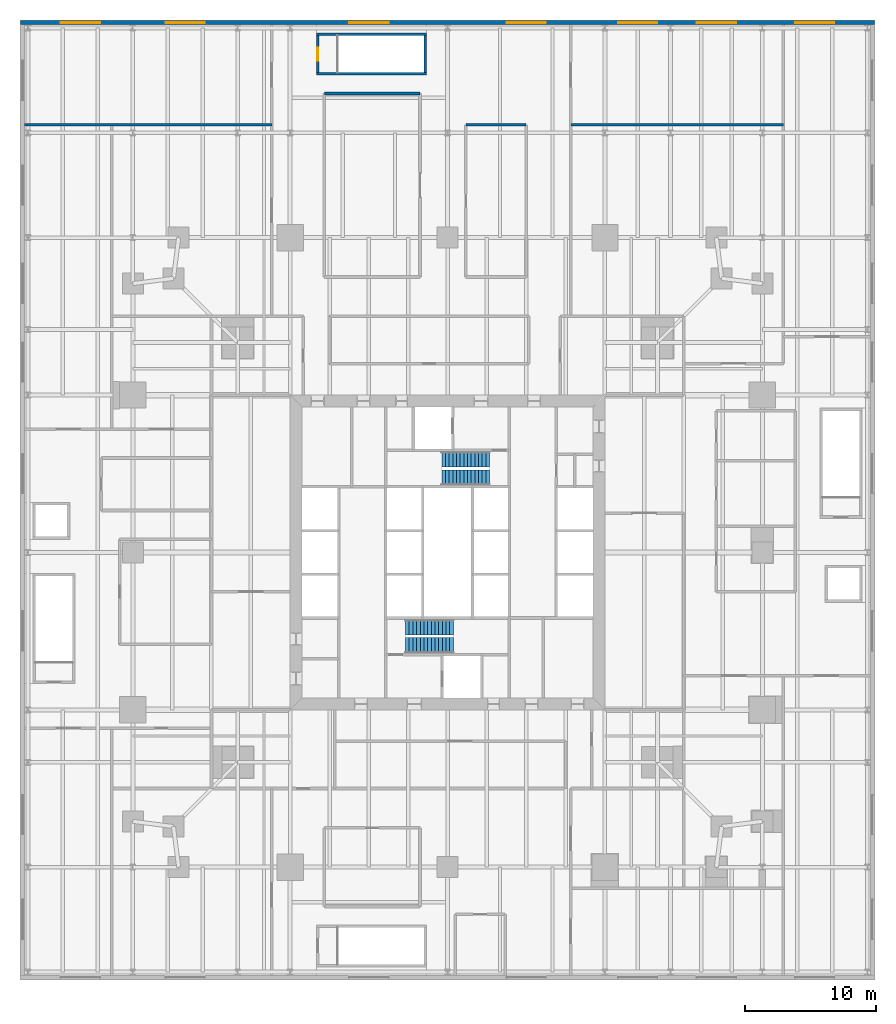
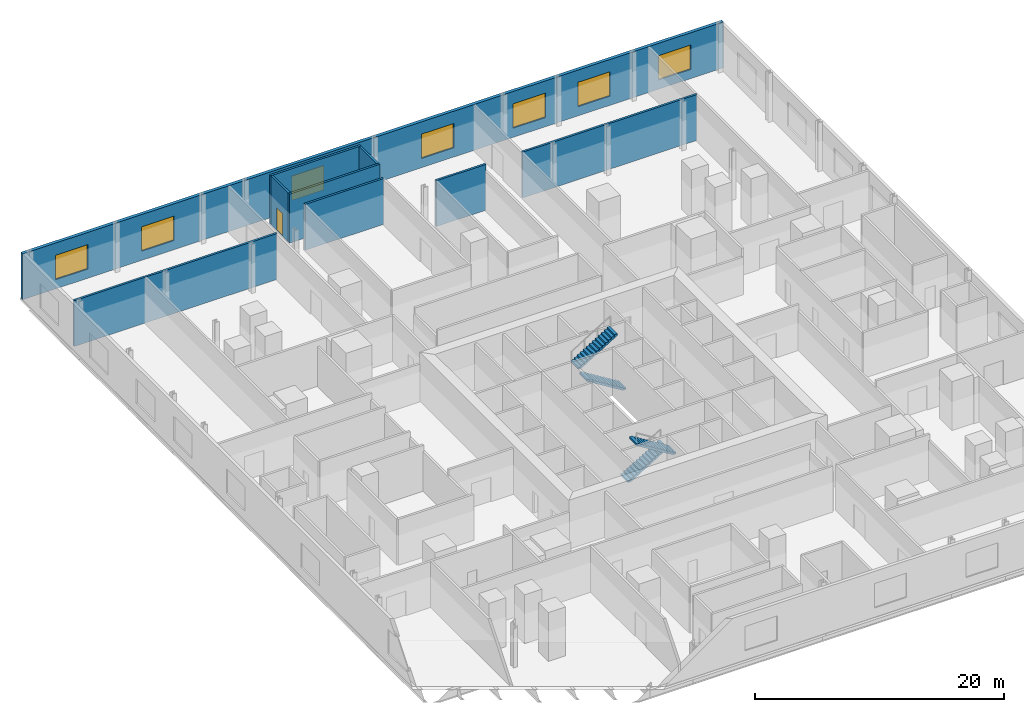
# One storey, part 14 of 15: 9 walls, 7 windows, 4 stair flights, 1 door, 8 openings, 2 elements without a shape of their own.
"""IFC4 building model written with IfcOpenShell, lengths in metres."""

import ifcopenshell
import ifcopenshell.guid

model = None  # the IFC model being written
_history = None  # IfcOwnerHistory: only IFC2X3 demands one
_inside = {}  # id of a spatial element -> (the spatial element, [elements in it])
_under = {}  # id of a project, library or spatial element -> (it, [spatial elements below it])
_declared = {}  # id of a project -> (the project, [libraries it declares])
_typed = {}  # id of a type object -> (the type object, [elements of that type])
_made_of = {}  # id of a material, layer set ... -> (it, [elements and type objects made of it])


def new_model(schema):
    """Start an empty IFC model of exactly this schema.

    Asked for "IFC4X3", IfcOpenShell would pick the latest addendum, in which some entities
    have other attributes; the version numbers below select the first issue.
    IFC2X3 requires an IfcOwnerHistory on every rooted entity: one is made here for all.
    """
    global model, _history
    if schema == "IFC4X3":
        model = ifcopenshell.file(schema_version=(4, 3, 0, 0))
    else:
        model = ifcopenshell.file(schema=schema)
    _inside.clear()
    _under.clear()
    _declared.clear()
    _typed.clear()
    _made_of.clear()
    _history = None
    if model.schema == "IFC2X3":
        org = make("IfcOrganization", Name="unknown")
        user = make(
            "IfcPersonAndOrganization",
            ThePerson=make("IfcPerson", FamilyName="unknown"),
            TheOrganization=org,
        )
        app = make(
            "IfcApplication",
            ApplicationDeveloper=org,
            Version="unknown",
            ApplicationFullName="unknown",
            ApplicationIdentifier="unknown",
        )
        _history = make(
            "IfcOwnerHistory",
            OwningUser=user,
            OwningApplication=app,
            ChangeAction="ADDED",
            CreationDate=0,
        )
    return model


def make(cls, **values):
    """One entity of the class cls with the attributes given. An attribute that is None is left unset."""
    return model.create_entity(
        cls, **{name: value for name, value in values.items() if value is not None}
    )


def rooted(cls, **values):
    """An entity with a GlobalId (a new one), such as an element, a storey or a relation."""
    return make(cls, GlobalId=ifcopenshell.guid.new(), OwnerHistory=_history, **values)


def si_unit(unit_type, name, prefix=None):
    """IfcSIUnit, for example si_unit("LENGTHUNIT", "METRE", prefix="MILLI")."""
    return make("IfcSIUnit", UnitType=unit_type, Prefix=prefix, Name=name)


def assignment(units):
    """IfcUnitAssignment: the units of a project."""
    return None if units is None else make("IfcUnitAssignment", Units=units)


def point(xyz):
    """IfcCartesianPoint."""
    return None if xyz is None else make("IfcCartesianPoint", Coordinates=xyz)


def direction(xyz):
    """IfcDirection."""
    return None if xyz is None else make("IfcDirection", DirectionRatios=xyz)


def frame(location, z_axis=None, x_axis=None):
    """IfcAxis2Placement3D, a coordinate frame: its origin and axes. An axis left out is left unset."""
    return make(
        "IfcAxis2Placement3D",
        Location=point(location),
        Axis=direction(z_axis),
        RefDirection=direction(x_axis),
    )


def frame_2d(location, x_axis=None):
    """IfcAxis2Placement2D, a coordinate frame in the plane: its origin and x axis."""
    return make(
        "IfcAxis2Placement2D", Location=point(location), RefDirection=direction(x_axis)
    )


def origin():
    """The frame at (0, 0, 0) with its axes left unset."""
    return frame((0.0, 0.0, 0.0))


def place(relative_to, where):
    """IfcLocalPlacement: puts the frame where relative to a parent placement (None: the world)."""
    return make(
        "IfcLocalPlacement", PlacementRelTo=relative_to, RelativePlacement=where
    )


def context(
    kind, dimensions, precision=None, world=None, true_north=None, identifier=None
):
    """IfcGeometricRepresentationContext, for example the 3D "Model" context."""
    return make(
        "IfcGeometricRepresentationContext",
        ContextIdentifier=identifier,
        ContextType=kind,
        CoordinateSpaceDimension=dimensions,
        Precision=precision,
        WorldCoordinateSystem=world,
        TrueNorth=true_north,
    )


def subcontext(parent, identifier, kind, view, scale=None):
    """IfcGeometricRepresentationSubContext, for example "Body" below "Model"."""
    return make(
        "IfcGeometricRepresentationSubContext",
        ContextIdentifier=identifier,
        ContextType=kind,
        ParentContext=parent,
        TargetScale=scale,
        TargetView=view,
    )


def project(units=None, contexts=None):
    """IfcProject with its units and contexts."""
    return rooted(
        "IfcProject",
        Name="project",
        RepresentationContexts=contexts,
        UnitsInContext=assignment(units),
    )


def spatial(cls, under=None, at=None, **own):
    """A site, building, storey or space (cls), placed at a placement, below another one or the project."""
    s = rooted(cls, ObjectPlacement=at, **own)
    if under is not None:
        _under.setdefault(under.id(), (under, []))[1].append(s)
    return s


def polyline(points):
    """IfcPolyline through the points."""
    return make("IfcPolyline", Points=[point(p) for p in points])


def profile(cls, at=None, kind="AREA", **sizes):
    """A parametric profile (cls). Its sizes go by their IFC names, for example OverallWidth=200.0."""
    return make(cls, ProfileType=kind, Position=at, **sizes)


def rectangle(**sizes):
    """IfcRectangleProfileDef."""
    return profile("IfcRectangleProfileDef", **sizes)


def outline(outer, holes=None, kind="AREA"):
    """IfcArbitraryClosedProfileDef: a profile drawn as a closed curve; with holes, ...WithVoids."""
    if holes is None:
        return make("IfcArbitraryClosedProfileDef", ProfileType=kind, OuterCurve=outer)
    return make(
        "IfcArbitraryProfileDefWithVoids",
        ProfileType=kind,
        OuterCurve=outer,
        InnerCurves=holes,
    )


def extrude(swept, where, along, depth):
    """IfcExtrudedAreaSolid: the profile swept, set in the frame where, extruded along a direction by depth."""
    return make(
        "IfcExtrudedAreaSolid",
        SweptArea=swept,
        Position=where,
        ExtrudedDirection=direction(along),
        Depth=depth,
    )


def shape(context_of_items, identifier, shape_type, items):
    """IfcShapeRepresentation: the items that make up one representation, for example the "Body"."""
    return make(
        "IfcShapeRepresentation",
        ContextOfItems=context_of_items,
        RepresentationIdentifier=identifier,
        RepresentationType=shape_type,
        Items=items,
    )


def material(Name=None, Category=None):
    """IfcMaterial."""
    return make("IfcMaterial", Name=Name, Category=Category)


def layer(
    of_material, thickness, ventilated=None, Name=None, Category=None, Priority=None
):
    """IfcMaterialLayer: one layer of a wall or slab, of a material (None: an air gap)."""
    return make(
        "IfcMaterialLayer",
        Material=of_material,
        LayerThickness=thickness,
        IsVentilated=ventilated,
        Name=Name,
        Category=Category,
        Priority=Priority,
    )


def layer_set(layers, Name=None):
    """IfcMaterialLayerSet."""
    return make("IfcMaterialLayerSet", MaterialLayers=layers, LayerSetName=Name)


def made_of(thing, what):
    """Note that an element or type object is made of a material, layer set ...; save() writes the relation."""
    if what is not None:
        _made_of.setdefault(what.id(), (what, []))[1].append(thing)
    return thing


def type_object(cls, material=None, **own):
    """A type object (cls), such as IfcWallType, which elements share."""
    return made_of(rooted(cls, **own), material)


def element(
    cls,
    number,
    at=None,
    inside=None,
    cuts=None,
    type_object=None,
    material=None,
    context=None,
    identifier="Body",
    shape_type=None,
    held_by="IfcProductDefinitionShape",
    body=None,
    shapes=None,
    **own,
):
    """One element of the class cls, such as IfcWall. Its Tag is "e" and its number.

    at: its placement. inside: the storey or other place that contains it. cuts: it is an
    opening in that element (IfcRelVoidsElement). A single representation is given by context,
    identifier, shape_type and body (its items); several are given by shapes. held_by: the class
    of the entity that holds the representations. save() writes the other relations.
    """
    e = rooted(cls, Tag="e%d" % number, ObjectPlacement=at, **own)
    if body is not None:
        shapes = [shape(context, identifier, shape_type, body)]
    if shapes is not None:
        e.Representation = make(held_by, Representations=shapes)
    if inside is not None:
        _inside.setdefault(inside.id(), (inside, []))[1].append(e)
    if cuts is not None:
        rooted(
            "IfcRelVoidsElement", RelatingBuildingElement=cuts, RelatedOpeningElement=e
        )
    if type_object is not None:
        _typed.setdefault(type_object.id(), (type_object, []))[1].append(e)
    return made_of(e, material)


def fill(opening, filler):
    """IfcRelFillsElement: the door or window that sits in an opening."""
    return rooted(
        "IfcRelFillsElement",
        RelatingOpeningElement=opening,
        RelatedBuildingElement=filler,
    )


def aggregate(whole, parts):
    """IfcRelAggregates: a whole, such as a stair, and the parts it consists of."""
    return rooted("IfcRelAggregates", RelatingObject=whole, RelatedObjects=parts)


def save(model, path):
    """Write the relations noted so far, then the file.

    IfcRelAggregates (storeys below a building ...), IfcRelContainedInSpatialStructure (elements
    in a storey), IfcRelDefinesByType, IfcRelAssociatesMaterial and IfcRelDeclares: one each for
    every whole, place, type object, material and project.
    """
    for whole, parts in _under.values():
        aggregate(whole, parts)
    for where, things in _inside.values():
        rooted(
            "IfcRelContainedInSpatialStructure",
            RelatedElements=things,
            RelatingStructure=where,
        )
    for kind, things in _typed.values():
        rooted("IfcRelDefinesByType", RelatedObjects=things, RelatingType=kind)
    for what, things in _made_of.values():
        rooted("IfcRelAssociatesMaterial", RelatedObjects=things, RelatingMaterial=what)
    for by, libraries in _declared.values():
        rooted("IfcRelDeclares", RelatingContext=by, RelatedDefinitions=libraries)
    model.write(path)


model = new_model("IFC4")

# Units and contexts
model_context = context("Model", 3, precision=1e-05, world=origin(), true_north=direction((0.0, 1.0)))
body_context = subcontext(model_context, "Body", "Model", "MODEL_VIEW")
ifc_project = project(units=[si_unit("LENGTHUNIT", "METRE"), si_unit("AREAUNIT", "SQUARE_METRE"), si_unit("VOLUMEUNIT", "CUBIC_METRE"), si_unit("PLANEANGLEUNIT", "RADIAN"), si_unit("MASSUNIT", "GRAM", prefix="KILO")], contexts=[model_context])

# Site, building, storey
site_placement = place(None, origin())
site = spatial("IfcSite", under=ifc_project, at=site_placement, CompositionType="ELEMENT")
building_placement = place(site_placement, origin())
building = spatial("IfcBuilding", under=site, at=building_placement, Name="Fenwick Lantern Interchange", CompositionType="ELEMENT")
storey_placement = place(building_placement, frame((0.0, 0.0, 26.199951171875)))
storey = spatial("IfcBuildingStorey", under=building, at=storey_placement, Name="L05", CompositionType="ELEMENT", Elevation=26.199951171875)

# Wall, openings, windows
ifc_material_1 = material(Name="Limestone ASTM C568 Classification II", Category="masonry")
ifc_layer_1 = layer(ifc_material_1, 0.074951171875)
ifc_material_2 = material(Name="Mineral wool insulation")
ifc_layer_2 = layer(ifc_material_2, 0.125)
ifc_material_3 = material(Name="Cold-formed galvanised steel studs", Category="steel")
ifc_layer_3 = layer(ifc_material_3, 0.10009765625)
ifc_layer_set_1 = layer_set([ifc_layer_1, ifc_layer_2, ifc_layer_3], Name="Limestone ASTM C568 Classification II")
wall_type_1 = type_object("IfcWallType", Name="LIMESTONE RAINSCREEN WALL 300", PredefinedType="SOLIDWALL", material=ifc_layer_set_1)
wall_1_placement = place(storey_placement, frame((57.550048828125, 65.39990234375, 0.0), z_axis=(0.0, 0.0, 1.0), x_axis=(-1.0, 0.0, 0.0)))
wall_1 = element("IfcWall", 1, at=wall_1_placement, inside=storey, type_object=wall_type_1, Name="L05/EW/N", PredefinedType="SOLIDWALL", context=body_context, shape_type="SweptSolid", body=[
    extrude(rectangle(XDim=65.10009765625, YDim=0.300048828125, at=frame_2d((32.550048828125, 0.0))), origin(), (0.0, 0.0, 1.0), 4.5),
])
opening_1_placement = place(wall_1_placement, frame((59.050048828125, 0.0, 0.89990234375)))
opening_1 = element("IfcOpeningElement", 2, at=opening_1_placement, cuts=wall_1, Name="Opening W1", PredefinedType="OPENING", context=body_context, shape_type="SweptSolid", body=[
    extrude(rectangle(XDim=3.0, YDim=2.39990234375, at=frame_2d((1.5, 1.199951171875))), frame((0.0, 0.159912109375, 0.0), z_axis=(0.0, -1.0, 0.0), x_axis=(1.0, 0.0, 0.0)), (0.0, 0.0, 1.0), 0.320068359375),
])
opening_2_placement = place(wall_1_placement, frame((51.050048828125, 0.0, 0.89990234375)))
opening_2 = element("IfcOpeningElement", 3, at=opening_2_placement, cuts=wall_1, Name="Opening W1", PredefinedType="OPENING", context=body_context, shape_type="SweptSolid", body=[
    extrude(rectangle(XDim=3.0, YDim=2.39990234375, at=frame_2d((1.5, 1.199951171875))), frame((0.0, 0.159912109375, 0.0), z_axis=(0.0, -1.0, 0.0), x_axis=(1.0, 0.0, 0.0)), (0.0, 0.0, 1.0), 0.320068359375),
])
opening_3_placement = place(wall_1_placement, frame((37.050048828125, 0.0, 0.89990234375)))
opening_3 = element("IfcOpeningElement", 4, at=opening_3_placement, cuts=wall_1, Name="Opening W1", PredefinedType="OPENING", context=body_context, shape_type="SweptSolid", body=[
    extrude(rectangle(XDim=3.0, YDim=2.39990234375, at=frame_2d((1.5, 1.199951171875))), frame((0.0, 0.159912109375, 0.0), z_axis=(0.0, -1.0, 0.0), x_axis=(1.0, 0.0, 0.0)), (0.0, 0.0, 1.0), 0.320068359375),
])
opening_4_placement = place(wall_1_placement, frame((25.050048828125, 0.0, 0.89990234375)))
opening_4 = element("IfcOpeningElement", 5, at=opening_4_placement, cuts=wall_1, Name="Opening W1", PredefinedType="OPENING", context=body_context, shape_type="SweptSolid", body=[
    extrude(rectangle(XDim=3.0, YDim=2.39990234375, at=frame_2d((1.5, 1.199951171875))), frame((0.0, 0.159912109375, 0.0), z_axis=(0.0, -1.0, 0.0), x_axis=(1.0, 0.0, 0.0)), (0.0, 0.0, 1.0), 0.320068359375),
])
opening_5_placement = place(wall_1_placement, frame((16.550048828125, 0.0, 0.89990234375)))
opening_5 = element("IfcOpeningElement", 6, at=opening_5_placement, cuts=wall_1, Name="Opening W1", PredefinedType="OPENING", context=body_context, shape_type="SweptSolid", body=[
    extrude(rectangle(XDim=3.0, YDim=2.39990234375, at=frame_2d((1.5, 1.199951171875))), frame((0.0, 0.159912109375, 0.0), z_axis=(0.0, -1.0, 0.0), x_axis=(1.0, 0.0, 0.0)), (0.0, 0.0, 1.0), 0.320068359375),
])
opening_6_placement = place(wall_1_placement, frame((10.550048828125, 0.0, 0.89990234375)))
opening_6 = element("IfcOpeningElement", 7, at=opening_6_placement, cuts=wall_1, Name="Opening W1", PredefinedType="OPENING", context=body_context, shape_type="SweptSolid", body=[
    extrude(rectangle(XDim=3.0, YDim=2.39990234375, at=frame_2d((1.5, 1.199951171875))), frame((0.0, 0.159912109375, 0.0), z_axis=(0.0, -1.0, 0.0), x_axis=(1.0, 0.0, 0.0)), (0.0, 0.0, 1.0), 0.320068359375),
])
opening_7_placement = place(wall_1_placement, frame((3.050048828125, 0.0, 0.89990234375)))
opening_7 = element("IfcOpeningElement", 8, at=opening_7_placement, cuts=wall_1, Name="Opening W1", PredefinedType="OPENING", context=body_context, shape_type="SweptSolid", body=[
    extrude(rectangle(XDim=3.0, YDim=2.39990234375, at=frame_2d((1.5, 1.199951171875))), frame((0.0, 0.159912109375, 0.0), z_axis=(0.0, -1.0, 0.0), x_axis=(1.0, 0.0, 0.0)), (0.0, 0.0, 1.0), 0.320068359375),
])
ifc_material_4 = material(Name="Aluminium window, clear glass", Category="aluminium")
window_type = type_object("IfcWindowType", Name="PODIUM WINDOW 3000 X 2400", PartitioningType="SINGLE_PANEL", PredefinedType="WINDOW", material=ifc_material_4)
window_1_placement = place(opening_1_placement, origin())
window_1 = element("IfcWindow", 9, at=window_1_placement, inside=storey, type_object=window_type, Name="Podium window", OverallHeight=2.39990234375, OverallWidth=3.0, PartitioningType="SINGLE_PANEL", PredefinedType="WINDOW", context=body_context, shape_type="SweptSolid", body=[
    extrude(rectangle(XDim=3.0, YDim=2.39990234375, at=frame_2d((1.5, 1.199951171875))), frame((0.0, 0.030029296875, 0.0), z_axis=(0.0, -1.0, 0.0), x_axis=(1.0, 0.0, 0.0)), (0.0, 0.0, 1.0), 0.06005859375),
])
fill(opening_1, window_1)
window_2_placement = place(opening_2_placement, origin())
window_2 = element("IfcWindow", 10, at=window_2_placement, inside=storey, type_object=window_type, Name="Podium window", OverallHeight=2.39990234375, OverallWidth=3.0, PartitioningType="SINGLE_PANEL", PredefinedType="WINDOW", context=body_context, shape_type="SweptSolid", body=[
    extrude(rectangle(XDim=3.0, YDim=2.39990234375, at=frame_2d((1.5, 1.199951171875))), frame((0.0, 0.030029296875, 0.0), z_axis=(0.0, -1.0, 0.0), x_axis=(1.0, 0.0, 0.0)), (0.0, 0.0, 1.0), 0.06005859375),
])
fill(opening_2, window_2)
window_3_placement = place(opening_3_placement, origin())
window_3 = element("IfcWindow", 11, at=window_3_placement, inside=storey, type_object=window_type, Name="Podium window", OverallHeight=2.39990234375, OverallWidth=3.0, PartitioningType="SINGLE_PANEL", PredefinedType="WINDOW", context=body_context, shape_type="SweptSolid", body=[
    extrude(rectangle(XDim=3.0, YDim=2.39990234375, at=frame_2d((1.5, 1.199951171875))), frame((0.0, 0.030029296875, 0.0), z_axis=(0.0, -1.0, 0.0), x_axis=(1.0, 0.0, 0.0)), (0.0, 0.0, 1.0), 0.06005859375),
])
fill(opening_3, window_3)
window_4_placement = place(opening_4_placement, origin())
window_4 = element("IfcWindow", 12, at=window_4_placement, inside=storey, type_object=window_type, Name="Podium window", OverallHeight=2.39990234375, OverallWidth=3.0, PartitioningType="SINGLE_PANEL", PredefinedType="WINDOW", context=body_context, shape_type="SweptSolid", body=[
    extrude(rectangle(XDim=3.0, YDim=2.39990234375, at=frame_2d((1.5, 1.199951171875))), frame((0.0, 0.030029296875, 0.0), z_axis=(0.0, -1.0, 0.0), x_axis=(1.0, 0.0, 0.0)), (0.0, 0.0, 1.0), 0.06005859375),
])
fill(opening_4, window_4)
window_5_placement = place(opening_5_placement, origin())
window_5 = element("IfcWindow", 13, at=window_5_placement, inside=storey, type_object=window_type, Name="Podium window", OverallHeight=2.39990234375, OverallWidth=3.0, PartitioningType="SINGLE_PANEL", PredefinedType="WINDOW", context=body_context, shape_type="SweptSolid", body=[
    extrude(rectangle(XDim=3.0, YDim=2.39990234375, at=frame_2d((1.5, 1.199951171875))), frame((0.0, 0.030029296875, 0.0), z_axis=(0.0, -1.0, 0.0), x_axis=(1.0, 0.0, 0.0)), (0.0, 0.0, 1.0), 0.06005859375),
])
fill(opening_5, window_5)
window_6_placement = place(opening_6_placement, origin())
window_6 = element("IfcWindow", 14, at=window_6_placement, inside=storey, type_object=window_type, Name="Podium window", OverallHeight=2.39990234375, OverallWidth=3.0, PartitioningType="SINGLE_PANEL", PredefinedType="WINDOW", context=body_context, shape_type="SweptSolid", body=[
    extrude(rectangle(XDim=3.0, YDim=2.39990234375, at=frame_2d((1.5, 1.199951171875))), frame((0.0, 0.030029296875, 0.0), z_axis=(0.0, -1.0, 0.0), x_axis=(1.0, 0.0, 0.0)), (0.0, 0.0, 1.0), 0.06005859375),
])
fill(opening_6, window_6)
window_7_placement = place(opening_7_placement, origin())
window_7 = element("IfcWindow", 15, at=window_7_placement, inside=storey, type_object=window_type, Name="Podium window", OverallHeight=2.39990234375, OverallWidth=3.0, PartitioningType="SINGLE_PANEL", PredefinedType="WINDOW", context=body_context, shape_type="SweptSolid", body=[
    extrude(rectangle(XDim=3.0, YDim=2.39990234375, at=frame_2d((1.5, 1.199951171875))), frame((0.0, 0.030029296875, 0.0), z_axis=(0.0, -1.0, 0.0), x_axis=(1.0, 0.0, 0.0)), (0.0, 0.0, 1.0), 0.06005859375),
])
fill(opening_7, window_7)

# Walls
ifc_material_5 = material(Name="Gypsum board on steel studs, 1 hour", Category="steel")
ifc_layer_4 = layer(ifc_material_5, 0.199951171875)
ifc_layer_set_2 = layer_set([ifc_layer_4], Name="ROOM WALL 200")
wall_type_2 = type_object("IfcWallType", Name="ROOM WALL 200", PredefinedType="PARTITIONING", material=ifc_layer_set_2)
wall_2_placement = place(storey_placement, frame((-7.25, 57.60009765625, 0.0), z_axis=(0.0, 0.0, 1.0), x_axis=(1.0, 0.0, 0.0)))
element("IfcWall", 16, at=wall_2_placement, inside=storey, type_object=wall_type_2, Name="L05/W/POD/Y57.6-1", PredefinedType="PARTITIONING", context=body_context, shape_type="SweptSolid", body=[
    extrude(rectangle(XDim=18.85009765625, YDim=0.199951171875, at=frame_2d((9.425048828125, 0.0))), origin(), (0.0, 0.0, 1.0), 4.5),
])
wall_3_placement = place(storey_placement, frame((26.39990234375, 57.60009765625, 0.0), z_axis=(0.0, 0.0, 1.0), x_axis=(1.0, 0.0, 0.0)))
element("IfcWall", 17, at=wall_3_placement, inside=storey, type_object=wall_type_2, Name="L05/W/POD/Y57.6-2", PredefinedType="PARTITIONING", context=body_context, shape_type="SweptSolid", body=[
    extrude(rectangle(XDim=4.60009765625, YDim=0.199951171875, at=frame_2d((2.300048828125, 0.0))), origin(), (0.0, 0.0, 1.0), 4.5),
])
wall_4_placement = place(storey_placement, frame((34.39990234375, 57.60009765625, 0.0), z_axis=(0.0, 0.0, 1.0), x_axis=(1.0, 0.0, 0.0)))
element("IfcWall", 18, at=wall_4_placement, inside=storey, type_object=wall_type_2, Name="L05/W/POD/Y57.6-3", PredefinedType="PARTITIONING", context=body_context, shape_type="SweptSolid", body=[
    extrude(rectangle(XDim=16.2001953125, YDim=0.199951171875, at=frame_2d((8.10009765625, 0.0))), origin(), (0.0, 0.0, 1.0), 4.5),
])
wall_5_placement = place(storey_placement, frame((15.60009765625, 60.0, 0.0), z_axis=(0.0, 0.0, 1.0), x_axis=(1.0, 0.0, 0.0)))
element("IfcWall", 19, at=wall_5_placement, inside=storey, type_object=wall_type_2, Name="L05/W/POD/Y60-1", PredefinedType="PARTITIONING", context=body_context, shape_type="SweptSolid", body=[
    extrude(rectangle(XDim=7.2998046875, YDim=0.199951171875, at=frame_2d((3.64990234375, 0.0))), origin(), (0.0, 0.0, 1.0), 4.5),
])
ifc_material_6 = material(Name="Reinforced concrete masonry ASTM C90 Grade N", Category="masonry")
ifc_layer_5 = layer(ifc_material_6, 0.199951171875)
ifc_layer_set_3 = layer_set([ifc_layer_5], Name="Reinforced concrete masonry ASTM C90 Grade N")
wall_type_3 = type_object("IfcWallType", Name="STAIR ENCLOSURE 200", PredefinedType="SOLIDWALL", material=ifc_layer_set_3)
wall_6_placement = place(storey_placement, frame((15.0, 61.5, 0.0), z_axis=(0.0, 0.0, 1.0), x_axis=(1.0, 0.0, 0.0)))
element("IfcWall", 20, at=wall_6_placement, inside=storey, type_object=wall_type_3, Name="L05/W/PS1/S", PredefinedType="SOLIDWALL", context=body_context, shape_type="SweptSolid", body=[
    extrude(rectangle(XDim=8.39990234375, YDim=0.199951171875, at=frame_2d((4.199951171875, 0.0))), origin(), (0.0, 0.0, 1.0), 4.800048828125),
])
wall_7_placement = place(storey_placement, frame((23.300048828125, 61.60009765625, 0.0), z_axis=(0.0, 0.0, 1.0), x_axis=(0.0, 1.0, 0.0)))
element("IfcWall", 21, at=wall_7_placement, inside=storey, type_object=wall_type_3, Name="L05/W/PS1/E", PredefinedType="SOLIDWALL", context=body_context, shape_type="SweptSolid", body=[
    extrude(rectangle(XDim=2.7998046875, YDim=0.199951171875, at=frame_2d((1.39990234375, 0.0))), origin(), (0.0, 0.0, 1.0), 4.800048828125),
])
wall_8_placement = place(storey_placement, frame((23.39990234375, 64.5, 0.0), z_axis=(0.0, 0.0, 1.0), x_axis=(-1.0, 0.0, 0.0)))
element("IfcWall", 22, at=wall_8_placement, inside=storey, type_object=wall_type_3, Name="L05/W/PS1/N", PredefinedType="SOLIDWALL", context=body_context, shape_type="SweptSolid", body=[
    extrude(rectangle(XDim=8.39990234375, YDim=0.199951171875, at=frame_2d((4.199951171875, 0.0))), origin(), (0.0, 0.0, 1.0), 4.800048828125),
])

# Wall, opening, door
wall_9_placement = place(storey_placement, frame((15.10009765625, 64.39990234375, 0.0), z_axis=(0.0, 0.0, 1.0), x_axis=(0.0, -1.0, 0.0)))
wall_9 = element("IfcWall", 23, at=wall_9_placement, inside=storey, type_object=wall_type_3, Name="L05/W/PS1/W", PredefinedType="SOLIDWALL", context=body_context, shape_type="SweptSolid", body=[
    extrude(rectangle(XDim=2.7998046875, YDim=0.199951171875, at=frame_2d((1.39990234375, 0.0))), origin(), (0.0, 0.0, 1.0), 4.800048828125),
])
opening_8_placement = place(wall_9_placement, frame((0.89990234375, 0.0, 0.0)))
opening_8 = element("IfcOpeningElement", 24, at=opening_8_placement, cuts=wall_9, Name="Opening L05-D018", PredefinedType="OPENING", context=body_context, shape_type="SweptSolid", body=[
    extrude(rectangle(XDim=1.0, YDim=2.199951171875, at=frame_2d((0.5, 1.10009765625))), frame((0.0, 0.10986328125, 0.0), z_axis=(0.0, -1.0, 0.0), x_axis=(1.0, 0.0, 0.0)), (0.0, 0.0, 1.0), 0.219970703125),
])
ifc_material_7 = material(Name="Steel door and frame", Category="steel")
door_type = type_object("IfcDoorType", Name="STAIR DOOR 1000 X 2200", OperationType="SINGLE_SWING_LEFT", PredefinedType="DOOR", material=ifc_material_7)
door_placement = place(opening_8_placement, origin())
door = element("IfcDoor", 25, at=door_placement, inside=storey, type_object=door_type, Name="Stair door", OperationType="SINGLE_SWING_LEFT", OverallHeight=2.199951171875, OverallWidth=1.0, PredefinedType="DOOR", context=body_context, shape_type="SweptSolid", body=[
    extrude(rectangle(XDim=1.0, YDim=2.199951171875, at=frame_2d((0.5, 1.10009765625))), frame((0.0, 0.02490234375, 0.0), z_axis=(0.0, -1.0, 0.0), x_axis=(1.0, 0.0, 0.0)), (0.0, 0.0, 1.0), 0.050048828125),
])
fill(opening_8, door)

# Stair, stair flights
ifc_material_8 = material(Name="Precast concrete f'c 35 MPa", Category="concrete")
stair_type = type_object("IfcStairType", Name="EXIT STAIR 1200", PredefinedType="HALF_TURN_STAIR", material=ifc_material_8)
stair_1_placement = place(storey_placement, origin())
stair_1 = element("IfcStair", 26, at=stair_1_placement, inside=storey, type_object=stair_type, Name="Exit stair ST1", PredefinedType="HALF_TURN_STAIR")
stair_flight_type = type_object("IfcStairFlightType", Name="STAIR FLIGHT 1200", PredefinedType="STRAIGHT", material=ifc_material_8)
stair_flight_1_placement = place(storey_placement, frame((21.800048828125, 19.300048828125, 0.0), z_axis=(0.0, 0.0, 1.0), x_axis=(1.0, 0.0, 0.0)))
stair_flight_1 = element("IfcStairFlight", 27, at=stair_flight_1_placement, type_object=stair_flight_type, Name="ST1 flight 1", NumberOfRisers=14, NumberOfTreads=13, PredefinedType="STRAIGHT", RiserHeight=0.171428571, TreadLength=0.28, context=body_context, shape_type="SweptSolid", body=[
    extrude(outline(polyline([(0.0, 0.0), (0.0, 0.17138671875), (0.280029296875, 0.17138671875), (0.280029296875, 0.3427734375), (0.56005859375, 0.3427734375), (0.56005859375, 0.514404296875), (0.840087890625, 0.514404296875), (0.840087890625, 0.685791015625), (1.1201171875, 0.685791015625), (1.1201171875, 0.857177734375), (1.39990234375, 0.857177734375), (1.39990234375, 1.028564453125), (1.679931640625, 1.028564453125), (1.679931640625, 1.199951171875), (1.9599609375, 1.199951171875), (1.9599609375, 1.371337890625), (2.239990234375, 1.371337890625), (2.239990234375, 1.54296875), (2.52001953125, 1.54296875), (2.52001953125, 1.71435546875), (2.800048828125, 1.71435546875), (2.800048828125, 1.8857421875), (3.080078125, 1.8857421875), (3.080078125, 2.05712890625), (3.360107421875, 2.05712890625), (3.360107421875, 2.228515625), (3.639892578125, 2.228515625), (3.639892578125, 2.39990234375), (3.639892578125, 2.052734375), (0.287109375, 0.0), (0.0, 0.0)])), frame((0.0, 0.60009765625, 0.0), z_axis=(0.0, -1.0, 0.0), x_axis=(1.0, 0.0, 0.0)), (0.0, 0.0, 1.0), 1.199951171875),
])
stair_flight_2_placement = place(storey_placement, frame((25.43994140625, 17.89990234375, 2.400146484375), z_axis=(0.0, 0.0, 1.0), x_axis=(-1.0, 0.0, 0.0)))
stair_flight_2 = element("IfcStairFlight", 28, at=stair_flight_2_placement, type_object=stair_flight_type, Name="ST1 flight 2", NumberOfRisers=14, NumberOfTreads=13, PredefinedType="STRAIGHT", RiserHeight=0.171428571, TreadLength=0.28, context=body_context, shape_type="SweptSolid", body=[
    extrude(outline(polyline([(0.0, 0.0), (0.0, 0.17138671875), (0.280029296875, 0.17138671875), (0.280029296875, 0.3427734375), (0.56005859375, 0.3427734375), (0.56005859375, 0.514404296875), (0.840087890625, 0.514404296875), (0.840087890625, 0.685791015625), (1.1201171875, 0.685791015625), (1.1201171875, 0.857177734375), (1.39990234375, 0.857177734375), (1.39990234375, 1.028564453125), (1.679931640625, 1.028564453125), (1.679931640625, 1.199951171875), (1.9599609375, 1.199951171875), (1.9599609375, 1.371337890625), (2.239990234375, 1.371337890625), (2.239990234375, 1.54296875), (2.52001953125, 1.54296875), (2.52001953125, 1.71435546875), (2.800048828125, 1.71435546875), (2.800048828125, 1.8857421875), (3.080078125, 1.8857421875), (3.080078125, 2.05712890625), (3.360107421875, 2.05712890625), (3.360107421875, 2.228515625), (3.639892578125, 2.228515625), (3.639892578125, 2.39990234375), (3.639892578125, 2.052734375), (0.287109375, 0.0), (0.0, 0.0)])), frame((0.0, 0.60009765625, 0.0), z_axis=(0.0, -1.0, 0.0), x_axis=(1.0, 0.0, 0.0)), (0.0, 0.0, 1.0), 1.199951171875),
])
aggregate(stair_1, [stair_flight_1, stair_flight_2])

stair_2_placement = place(storey_placement, origin())
stair_2 = element("IfcStair", 29, at=stair_2_placement, inside=storey, type_object=stair_type, Name="Exit stair ST2", PredefinedType="HALF_TURN_STAIR")
stair_flight_3_placement = place(storey_placement, frame((28.199951171875, 30.699951171875, 0.0), z_axis=(0.0, 0.0, 1.0), x_axis=(-1.0, 0.0, 0.0)))
stair_flight_3 = element("IfcStairFlight", 30, at=stair_flight_3_placement, type_object=stair_flight_type, Name="ST2 flight 1", NumberOfRisers=14, NumberOfTreads=13, PredefinedType="STRAIGHT", RiserHeight=0.171428571, TreadLength=0.28, context=body_context, shape_type="SweptSolid", body=[
    extrude(outline(polyline([(0.0, 0.0), (0.0, 0.17138671875), (0.280029296875, 0.17138671875), (0.280029296875, 0.3427734375), (0.56005859375, 0.3427734375), (0.56005859375, 0.514404296875), (0.840087890625, 0.514404296875), (0.840087890625, 0.685791015625), (1.1201171875, 0.685791015625), (1.1201171875, 0.857177734375), (1.39990234375, 0.857177734375), (1.39990234375, 1.028564453125), (1.679931640625, 1.028564453125), (1.679931640625, 1.199951171875), (1.9599609375, 1.199951171875), (1.9599609375, 1.371337890625), (2.239990234375, 1.371337890625), (2.239990234375, 1.54296875), (2.52001953125, 1.54296875), (2.52001953125, 1.71435546875), (2.800048828125, 1.71435546875), (2.800048828125, 1.8857421875), (3.080078125, 1.8857421875), (3.080078125, 2.05712890625), (3.360107421875, 2.05712890625), (3.360107421875, 2.228515625), (3.639892578125, 2.228515625), (3.639892578125, 2.39990234375), (3.639892578125, 2.052734375), (0.287109375, 0.0), (0.0, 0.0)])), frame((0.0, 0.60009765625, 0.0), z_axis=(0.0, -1.0, 0.0), x_axis=(1.0, 0.0, 0.0)), (0.0, 0.0, 1.0), 1.199951171875),
])
stair_flight_4_placement = place(storey_placement, frame((24.56005859375, 32.10009765625, 2.400146484375), z_axis=(0.0, 0.0, 1.0), x_axis=(1.0, 0.0, 0.0)))
stair_flight_4 = element("IfcStairFlight", 31, at=stair_flight_4_placement, type_object=stair_flight_type, Name="ST2 flight 2", NumberOfRisers=14, NumberOfTreads=13, PredefinedType="STRAIGHT", RiserHeight=0.171428571, TreadLength=0.28, context=body_context, shape_type="SweptSolid", body=[
    extrude(outline(polyline([(0.0, 0.0), (0.0, 0.17138671875), (0.280029296875, 0.17138671875), (0.280029296875, 0.3427734375), (0.56005859375, 0.3427734375), (0.56005859375, 0.514404296875), (0.840087890625, 0.514404296875), (0.840087890625, 0.685791015625), (1.1201171875, 0.685791015625), (1.1201171875, 0.857177734375), (1.39990234375, 0.857177734375), (1.39990234375, 1.028564453125), (1.679931640625, 1.028564453125), (1.679931640625, 1.199951171875), (1.9599609375, 1.199951171875), (1.9599609375, 1.371337890625), (2.239990234375, 1.371337890625), (2.239990234375, 1.54296875), (2.52001953125, 1.54296875), (2.52001953125, 1.71435546875), (2.800048828125, 1.71435546875), (2.800048828125, 1.8857421875), (3.080078125, 1.8857421875), (3.080078125, 2.05712890625), (3.360107421875, 2.05712890625), (3.360107421875, 2.228515625), (3.639892578125, 2.228515625), (3.639892578125, 2.39990234375), (3.639892578125, 2.052734375), (0.287109375, 0.0), (0.0, 0.0)])), frame((0.0, 0.60009765625, 0.0), z_axis=(0.0, -1.0, 0.0), x_axis=(1.0, 0.0, 0.0)), (0.0, 0.0, 1.0), 1.199951171875),
])
aggregate(stair_2, [stair_flight_3, stair_flight_4])

save(model, "model.ifc")
